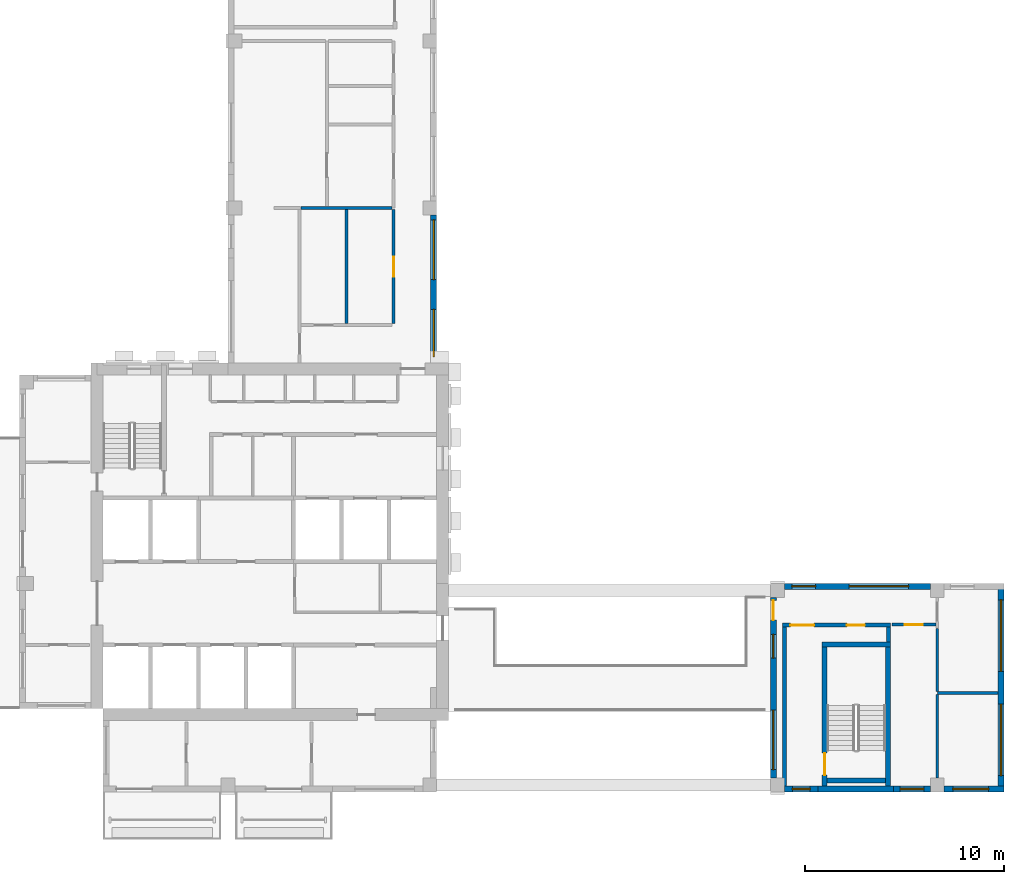
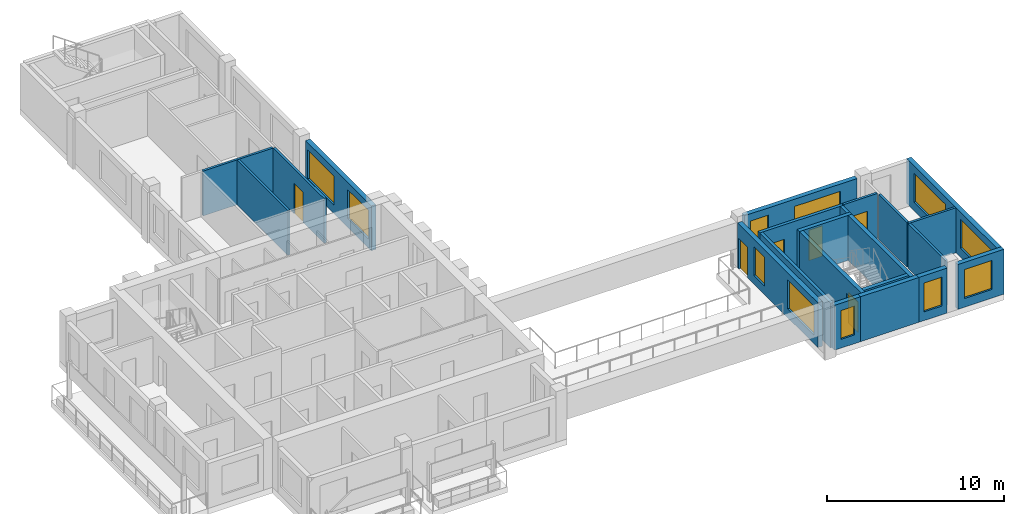
# One storey, part 4 of 9: 22 walls, 11 windows, 6 doors, 17 openings.
"""IFC4 building model written with IfcOpenShell, lengths in metres."""

from ifc_helpers import new_model, si_unit, direction, frame, frame_2d, origin, place, context, subcontext, project, spatial, rectangle, extrude, source, transform, mapped, material, layer, layer_set, type_object, element, fill, save


model = new_model("IFC4")

# Units and contexts
model_context = context("Model", 3, precision=1e-05, world=origin(), true_north=direction((0.0, 1.0)))
body_context = subcontext(model_context, "Body", "Model", "MODEL_VIEW")
ifc_project = project(units=[si_unit("LENGTHUNIT", "METRE"), si_unit("AREAUNIT", "SQUARE_METRE"), si_unit("VOLUMEUNIT", "CUBIC_METRE"), si_unit("PLANEANGLEUNIT", "RADIAN"), si_unit("MASSUNIT", "GRAM", prefix="KILO")], contexts=[model_context])

# Site, building, storey
site_placement = place(None, origin())
site = spatial("IfcSite", under=ifc_project, at=site_placement, CompositionType="ELEMENT")
building_placement = place(site_placement, origin())
building = spatial("IfcBuilding", under=site, at=building_placement, Name="Aurelian Terraces", CompositionType="ELEMENT")
storey_placement = place(building_placement, frame((0.0, 0.0, 305.5)))
storey = spatial("IfcBuildingStorey", under=building, at=storey_placement, Name="L70", CompositionType="ELEMENT", Elevation=305.5)

# Wall
ifc_material_1 = material(Name="Gypsum board on steel studs", Category="steel")
ifc_layer_1 = layer(ifc_material_1, 0.15)
ifc_layer_set_1 = layer_set([ifc_layer_1], Name="Fire partition 150")
wall_type_1 = type_object("IfcWallType", Name="Fire partition 150", PredefinedType="PARTITIONING", material=ifc_layer_set_1)
wall_1_placement = place(storey_placement, frame((46.2, 5.05, 0.0), z_axis=(0.0, 0.0, 1.0), x_axis=(0.0, 1.0, 0.0)))
element("IfcWall", 1, at=wall_1_placement, inside=storey, type_object=wall_type_1, Name="Party wall", PredefinedType="PARTITIONING", context=body_context, shape_type="SweptSolid", body=[
    extrude(rectangle(XDim=3.18, YDim=0.15, at=frame_2d((1.59, 0.0))), origin(), (0.0, 0.0, 1.0), 3.1),
])

# Wall, opening, window
ifc_material_2 = material(Name="Terracotta rainscreen cladding", Category="masonry")
ifc_layer_2 = layer(ifc_material_2, 0.3)
ifc_layer_set_2 = layer_set([ifc_layer_2], Name="EW-300")
wall_type_2 = type_object("IfcWallType", Name="EW-300", PredefinedType="STANDARD", material=ifc_layer_set_2)
shared_shape_1 = source(origin(), body_context, "Body", "SweptSolid", [
    extrude(rectangle(XDim=3.01, YDim=0.3, at=frame_2d((1.505, 0.0))), origin(), (0.0, 0.0, 1.0), 3.1),
])
wall_2_placement = place(storey_placement, frame((46.55, 0.15, 0.0), z_axis=(0.0, 0.0, 1.0), x_axis=(1.0, 0.0, 0.0)))
wall_2 = element("IfcWall", 2, at=wall_2_placement, inside=storey, type_object=wall_type_2, Name="External wall L70 F13.24", PredefinedType="STANDARD", context=body_context, shape_type="MappedRepresentation", body=[
    mapped(shared_shape_1, transform((0.0, 0.0, 0.0), scale=1.0)),
])
shared_shape_2 = source(origin(), body_context, "Body", "SweptSolid", [
    extrude(rectangle(XDim=1.8, YDim=2.0, at=frame_2d((0.9, 1.0))), frame((0.0, 0.16, 0.0), z_axis=(0.0, -1.0, 0.0), x_axis=(1.0, 0.0, 0.0)), (0.0, 0.0, 1.0), 0.32),
])
opening_1_placement = place(wall_2_placement, frame((0.43, 0.0, 0.6)))
opening_1 = element("IfcOpeningElement", 3, at=opening_1_placement, cuts=wall_2, Name="Opening W1820", PredefinedType="OPENING", context=body_context, shape_type="MappedRepresentation", body=[
    mapped(shared_shape_2, transform((0.0, 0.0, 0.0), scale=1.0)),
])
ifc_material_3 = material(Name="Clear glazing", Category="glass")
window_type_1 = type_object("IfcWindowType", Name="W-1800x2000", PartitioningType="SINGLE_PANEL", PredefinedType="WINDOW", material=ifc_material_3)
shared_shape_3 = source(origin(), body_context, "Body", "SweptSolid", [
    extrude(rectangle(XDim=1.8, YDim=2.0, at=frame_2d((0.9, 1.0))), frame((0.0, 0.03, 0.0), z_axis=(0.0, -1.0, 0.0), x_axis=(1.0, 0.0, 0.0)), (0.0, 0.0, 1.0), 0.06),
])
window_1_placement = place(opening_1_placement, origin())
window_1 = element("IfcWindow", 4, at=window_1_placement, inside=storey, type_object=window_type_1, Name="Window L70 L70-F13-24-0", OverallHeight=2.0, OverallWidth=1.8, PartitioningType="SINGLE_PANEL", PredefinedType="WINDOW", context=body_context, shape_type="MappedRepresentation", body=[
    mapped(shared_shape_3, transform((0.0, 0.0, 0.0), scale=1.0)),
])
fill(opening_1, window_1)

# Wall, openings, windows
shared_shape_4 = source(origin(), body_context, "Body", "SweptSolid", [
    extrude(rectangle(XDim=7.45, YDim=0.3, at=frame_2d((3.725, 0.0))), origin(), (0.0, 0.0, 1.0), 3.1),
])
wall_3_placement = place(storey_placement, frame((20.85, 21.6, 0.0), z_axis=(0.0, 0.0, 1.0), x_axis=(0.0, 1.0, 0.0)))
wall_3 = element("IfcWall", 5, at=wall_3_placement, inside=storey, type_object=wall_type_2, Name="External wall L70 F02.7", PredefinedType="STANDARD", context=body_context, shape_type="MappedRepresentation", body=[
    mapped(shared_shape_4, transform((0.0, 0.0, 0.0), scale=1.0)),
])
shared_shape_5 = source(origin(), body_context, "Body", "SweptSolid", [
    extrude(rectangle(XDim=2.4, YDim=2.0, at=frame_2d((1.2, 1.0))), frame((0.0, 0.16, 0.0), z_axis=(0.0, -1.0, 0.0), x_axis=(1.0, 0.0, 0.0)), (0.0, 0.0, 1.0), 0.32),
])
opening_2_placement = place(wall_3_placement, frame((0.3, 0.0, 0.6)))
opening_2 = element("IfcOpeningElement", 6, at=opening_2_placement, cuts=wall_3, Name="Opening W2420", PredefinedType="OPENING", context=body_context, shape_type="MappedRepresentation", body=[
    mapped(shared_shape_5, transform((0.0, 0.0, 0.0), scale=1.0)),
])
shared_shape_6 = source(origin(), body_context, "Body", "SweptSolid", [
    extrude(rectangle(XDim=3.0, YDim=2.0, at=frame_2d((1.5, 1.0))), frame((0.0, 0.16, 0.0), z_axis=(0.0, -1.0, 0.0), x_axis=(1.0, 0.0, 0.0)), (0.0, 0.0, 1.0), 0.32),
])
opening_3_placement = place(wall_3_placement, frame((4.2, 0.0, 0.6)))
opening_3 = element("IfcOpeningElement", 7, at=opening_3_placement, cuts=wall_3, Name="Opening W3020", PredefinedType="OPENING", context=body_context, shape_type="MappedRepresentation", body=[
    mapped(shared_shape_6, transform((0.0, 0.0, 0.0), scale=1.0)),
])
window_type_2 = type_object("IfcWindowType", Name="W-3000x2000", PartitioningType="SINGLE_PANEL", PredefinedType="WINDOW", material=ifc_material_3)
shared_shape_7 = source(origin(), body_context, "Body", "SweptSolid", [
    extrude(rectangle(XDim=3.0, YDim=2.0, at=frame_2d((1.5, 1.0))), frame((0.0, 0.03, 0.0), z_axis=(0.0, -1.0, 0.0), x_axis=(1.0, 0.0, 0.0)), (0.0, 0.0, 1.0), 0.06),
])
window_2_placement = place(opening_3_placement, origin())
window_2 = element("IfcWindow", 8, at=window_2_placement, inside=storey, type_object=window_type_2, Name="Window L70 L70-F02-07-1", OverallHeight=2.0, OverallWidth=3.0, PartitioningType="SINGLE_PANEL", PredefinedType="WINDOW", context=body_context, shape_type="MappedRepresentation", body=[
    mapped(shared_shape_7, transform((0.0, 0.0, 0.0), scale=1.0)),
])
fill(opening_3, window_2)
window_type_3 = type_object("IfcWindowType", Name="W-2400x2000", PartitioningType="SINGLE_PANEL", PredefinedType="WINDOW", material=ifc_material_3)
shared_shape_8 = source(origin(), body_context, "Body", "SweptSolid", [
    extrude(rectangle(XDim=2.4, YDim=2.0, at=frame_2d((1.2, 1.0))), frame((0.0, 0.03, 0.0), z_axis=(0.0, -1.0, 0.0), x_axis=(1.0, 0.0, 0.0)), (0.0, 0.0, 1.0), 0.06),
])
window_3_placement = place(opening_2_placement, origin())
window_3 = element("IfcWindow", 9, at=window_3_placement, inside=storey, type_object=window_type_3, Name="Window L70 L70-F02-07-0", OverallHeight=2.0, OverallWidth=2.4, PartitioningType="SINGLE_PANEL", PredefinedType="WINDOW", context=body_context, shape_type="MappedRepresentation", body=[
    mapped(shared_shape_8, transform((0.0, 0.0, 0.0), scale=1.0)),
])
fill(opening_2, window_3)

# Wall
ifc_material_4 = material(Name="Concrete fc' 40 MPa", Category="concrete")
ifc_layer_3 = layer(ifc_material_4, 0.3)
ifc_layer_set_3 = layer_set([ifc_layer_3], Name="STAIR BAY WALL 300")
wall_type_3 = type_object("IfcWallType", Name="STAIR BAY WALL 300", PredefinedType="SOLIDWALL", material=ifc_layer_set_3)
shared_shape_9 = source(origin(), body_context, "Body", "SweptSolid", [
    extrude(rectangle(XDim=3.8, YDim=0.3, at=frame_2d((1.9, 0.0))), origin(), (0.0, 0.0, 1.0), 3.1),
])
wall_4_placement = place(storey_placement, frame((40.2, 0.15, 0.0), z_axis=(0.0, 0.0, 1.0), x_axis=(1.0, 0.0, 0.0)))
element("IfcWall", 10, at=wall_4_placement, inside=storey, type_object=wall_type_3, Name="Stair bay wall L70 F13.23", PredefinedType="SOLIDWALL", context=body_context, shape_type="MappedRepresentation", body=[
    mapped(shared_shape_9, transform((0.0, 0.0, 0.0), scale=1.0)),
])

# Wall, opening, window
shared_shape_10 = source(origin(), body_context, "Body", "SweptSolid", [
    extrude(rectangle(XDim=1.85, YDim=0.3, at=frame_2d((0.925, 0.0))), origin(), (0.0, 0.0, 1.0), 3.1),
])
wall_5_placement = place(storey_placement, frame((44.0, 0.15, 0.0), z_axis=(0.0, 0.0, 1.0), x_axis=(1.0, 0.0, 0.0)))
wall_5 = element("IfcWall", 11, at=wall_5_placement, inside=storey, type_object=wall_type_2, Name="External wall L70 F13.23", PredefinedType="STANDARD", context=body_context, shape_type="MappedRepresentation", body=[
    mapped(shared_shape_10, transform((0.0, 0.0, 0.0), scale=1.0)),
])
shared_shape_11 = source(origin(), body_context, "Body", "SweptSolid", [
    extrude(rectangle(XDim=1.2, YDim=2.0, at=frame_2d((0.6, 1.0))), frame((0.0, 0.16, 0.0), z_axis=(0.0, -1.0, 0.0), x_axis=(1.0, 0.0, 0.0)), (0.0, 0.0, 1.0), 0.32),
])
opening_4_placement = place(wall_5_placement, frame((0.325, 0.0, 0.6)))
opening_4 = element("IfcOpeningElement", 12, at=opening_4_placement, cuts=wall_5, Name="Opening W1220", PredefinedType="OPENING", context=body_context, shape_type="MappedRepresentation", body=[
    mapped(shared_shape_11, transform((0.0, 0.0, 0.0), scale=1.0)),
])
window_type_4 = type_object("IfcWindowType", Name="W-1200x2000", PartitioningType="SINGLE_PANEL", PredefinedType="WINDOW", material=ifc_material_3)
shared_shape_12 = source(origin(), body_context, "Body", "SweptSolid", [
    extrude(rectangle(XDim=1.2, YDim=2.0, at=frame_2d((0.6, 1.0))), frame((0.0, 0.03, 0.0), z_axis=(0.0, -1.0, 0.0), x_axis=(1.0, 0.0, 0.0)), (0.0, 0.0, 1.0), 0.06),
])
window_4_placement = place(opening_4_placement, origin())
window_4 = element("IfcWindow", 13, at=window_4_placement, inside=storey, type_object=window_type_4, Name="Window L70 L70-F13-23-P2", OverallHeight=2.0, OverallWidth=1.2, PartitioningType="SINGLE_PANEL", PredefinedType="WINDOW", context=body_context, shape_type="MappedRepresentation", body=[
    mapped(shared_shape_12, transform((0.0, 0.0, 0.0), scale=1.0)),
])
fill(opening_4, window_4)

# Wall, openings, windows
shared_shape_13 = source(origin(), body_context, "Body", "SweptSolid", [
    extrude(rectangle(XDim=10.5, YDim=0.3, at=frame_2d((5.25, 0.0))), origin(), (0.0, 0.0, 1.0), 3.1),
])
wall_6_placement = place(storey_placement, frame((49.41, 0.0, 0.0), z_axis=(0.0, 0.0, 1.0), x_axis=(0.0, 1.0, 0.0)))
wall_6 = element("IfcWall", 14, at=wall_6_placement, inside=storey, type_object=wall_type_2, Name="External wall L70 F14.25", PredefinedType="STANDARD", context=body_context, shape_type="MappedRepresentation", body=[
    mapped(shared_shape_13, transform((0.0, 0.0, 0.0), scale=1.0)),
])
shared_shape_14 = source(origin(), body_context, "Body", "SweptSolid", [
    extrude(rectangle(XDim=3.6, YDim=2.0, at=frame_2d((1.8, 1.0))), frame((0.0, 0.16, 0.0), z_axis=(0.0, -1.0, 0.0), x_axis=(1.0, 0.0, 0.0)), (0.0, 0.0, 1.0), 0.32),
])
opening_5_placement = place(wall_6_placement, frame((0.825, 0.0, 0.6)))
opening_5 = element("IfcOpeningElement", 15, at=opening_5_placement, cuts=wall_6, Name="Opening W3620", PredefinedType="OPENING", context=body_context, shape_type="MappedRepresentation", body=[
    mapped(shared_shape_14, transform((0.0, 0.0, 0.0), scale=1.0)),
])
opening_6_placement = place(wall_6_placement, frame((6.075, 0.0, 0.6)))
opening_6 = element("IfcOpeningElement", 16, at=opening_6_placement, cuts=wall_6, Name="Opening W3620", PredefinedType="OPENING", context=body_context, shape_type="MappedRepresentation", body=[
    mapped(shared_shape_14, transform((0.0, 0.0, 0.0), scale=1.0)),
])
window_type_5 = type_object("IfcWindowType", Name="W-3600x2000", PartitioningType="SINGLE_PANEL", PredefinedType="WINDOW", material=ifc_material_3)
shared_shape_15 = source(origin(), body_context, "Body", "SweptSolid", [
    extrude(rectangle(XDim=3.6, YDim=2.0, at=frame_2d((1.8, 1.0))), frame((0.0, 0.03, 0.0), z_axis=(0.0, -1.0, 0.0), x_axis=(1.0, 0.0, 0.0)), (0.0, 0.0, 1.0), 0.06),
])
window_5_placement = place(opening_5_placement, origin())
window_5 = element("IfcWindow", 17, at=window_5_placement, inside=storey, type_object=window_type_5, Name="Window L70 L70-F14-25-0", OverallHeight=2.0, OverallWidth=3.6, PartitioningType="SINGLE_PANEL", PredefinedType="WINDOW", context=body_context, shape_type="MappedRepresentation", body=[
    mapped(shared_shape_15, transform((0.0, 0.0, 0.0), scale=1.0)),
])
fill(opening_5, window_5)
window_6_placement = place(opening_6_placement, origin())
window_6 = element("IfcWindow", 18, at=window_6_placement, inside=storey, type_object=window_type_5, Name="Window L70 L70-F14-25-1", OverallHeight=2.0, OverallWidth=3.6, PartitioningType="SINGLE_PANEL", PredefinedType="WINDOW", context=body_context, shape_type="MappedRepresentation", body=[
    mapped(shared_shape_15, transform((0.0, 0.0, 0.0), scale=1.0)),
])
fill(opening_6, window_6)

# Wall, opening, window
shared_shape_16 = source(origin(), body_context, "Body", "SweptSolid", [
    extrude(rectangle(XDim=1.7, YDim=0.3, at=frame_2d((0.85, 0.0))), origin(), (0.0, 0.0, 1.0), 3.1),
])
wall_7_placement = place(storey_placement, frame((38.5, 0.15, 0.0), z_axis=(0.0, 0.0, 1.0), x_axis=(1.0, 0.0, 0.0)))
wall_7 = element("IfcWall", 19, at=wall_7_placement, inside=storey, type_object=wall_type_2, Name="External wall L70 F13.23", PredefinedType="STANDARD", context=body_context, shape_type="MappedRepresentation", body=[
    mapped(shared_shape_16, transform((0.0, 0.0, 0.0), scale=1.0)),
])
shared_shape_17 = source(origin(), body_context, "Body", "SweptSolid", [
    extrude(rectangle(XDim=0.9, YDim=2.0, at=frame_2d((0.45, 1.0))), frame((0.0, 0.16, 0.0), z_axis=(0.0, -1.0, 0.0), x_axis=(1.0, 0.0, 0.0)), (0.0, 0.0, 1.0), 0.32),
])
opening_7_placement = place(wall_7_placement, frame((0.4, 0.0, 0.6)))
opening_7 = element("IfcOpeningElement", 20, at=opening_7_placement, cuts=wall_7, Name="Opening W0920", PredefinedType="OPENING", context=body_context, shape_type="MappedRepresentation", body=[
    mapped(shared_shape_17, transform((0.0, 0.0, 0.0), scale=1.0)),
])
window_type_6 = type_object("IfcWindowType", Name="W-900x2000", PartitioningType="SINGLE_PANEL", PredefinedType="WINDOW", material=ifc_material_3)
shared_shape_18 = source(origin(), body_context, "Body", "SweptSolid", [
    extrude(rectangle(XDim=0.9, YDim=2.0, at=frame_2d((0.45, 1.0))), frame((0.0, 0.03, 0.0), z_axis=(0.0, -1.0, 0.0), x_axis=(1.0, 0.0, 0.0)), (0.0, 0.0, 1.0), 0.06),
])
window_7_placement = place(opening_7_placement, origin())
window_7 = element("IfcWindow", 21, at=window_7_placement, inside=storey, type_object=window_type_6, Name="Window L70 L70-F13-23-P0", OverallHeight=2.0, OverallWidth=0.9, PartitioningType="SINGLE_PANEL", PredefinedType="WINDOW", context=body_context, shape_type="MappedRepresentation", body=[
    mapped(shared_shape_18, transform((0.0, 0.0, 0.0), scale=1.0)),
])
fill(opening_7, window_7)

# Wall, openings, windows
shared_shape_19 = source(origin(), body_context, "Body", "SweptSolid", [
    extrude(rectangle(XDim=7.35, YDim=0.3, at=frame_2d((3.675, 0.0))), origin(), (0.0, 0.0, 1.0), 3.1),
])
wall_8_placement = place(storey_placement, frame((45.85, 10.35, 0.0), z_axis=(0.0, 0.0, 1.0), x_axis=(-1.0, 0.0, 0.0)))
wall_8 = element("IfcWall", 22, at=wall_8_placement, inside=storey, type_object=wall_type_2, Name="External wall L70 F15.26", PredefinedType="STANDARD", context=body_context, shape_type="MappedRepresentation", body=[
    mapped(shared_shape_19, transform((0.0, 0.0, 0.0), scale=1.0)),
])
opening_8_placement = place(wall_8_placement, frame((1.09, 0.0, 0.6)))
opening_8 = element("IfcOpeningElement", 23, at=opening_8_placement, cuts=wall_8, Name="Opening W3020", PredefinedType="OPENING", context=body_context, shape_type="MappedRepresentation", body=[
    mapped(shared_shape_6, transform((0.0, 0.0, 0.0), scale=1.0)),
])
opening_9_placement = place(wall_8_placement, frame((5.77, 0.0, 0.6)))
opening_9 = element("IfcOpeningElement", 24, at=opening_9_placement, cuts=wall_8, Name="Opening W1220", PredefinedType="OPENING", context=body_context, shape_type="MappedRepresentation", body=[
    mapped(shared_shape_11, transform((0.0, 0.0, 0.0), scale=1.0)),
])
window_8_placement = place(opening_8_placement, origin())
window_8 = element("IfcWindow", 25, at=window_8_placement, inside=storey, type_object=window_type_2, Name="Window L70 L70-F15-26-1", OverallHeight=2.0, OverallWidth=3.0, PartitioningType="SINGLE_PANEL", PredefinedType="WINDOW", context=body_context, shape_type="MappedRepresentation", body=[
    mapped(shared_shape_7, transform((0.0, 0.0, 0.0), scale=1.0)),
])
fill(opening_8, window_8)
window_9_placement = place(opening_9_placement, origin())
window_9 = element("IfcWindow", 26, at=window_9_placement, inside=storey, type_object=window_type_4, Name="Window L70 L70-F15-26-2", OverallHeight=2.0, OverallWidth=1.2, PartitioningType="SINGLE_PANEL", PredefinedType="WINDOW", context=body_context, shape_type="MappedRepresentation", body=[
    mapped(shared_shape_12, transform((0.0, 0.0, 0.0), scale=1.0)),
])
fill(opening_9, window_9)

# Wall, openings, windows, door
shared_shape_20 = source(origin(), body_context, "Body", "SweptSolid", [
    extrude(rectangle(XDim=9.1, YDim=0.3, at=frame_2d((4.55, 0.0))), origin(), (0.0, 0.0, 1.0), 3.1),
])
wall_9_placement = place(storey_placement, frame((37.95, 9.8, 0.0), z_axis=(0.0, 0.0, 1.0), x_axis=(0.0, -1.0, 0.0)))
wall_9 = element("IfcWall", 27, at=wall_9_placement, inside=storey, type_object=wall_type_2, Name="External wall L70 F16.27", PredefinedType="STANDARD", context=body_context, shape_type="MappedRepresentation", body=[
    mapped(shared_shape_20, transform((0.0, 0.0, 0.0), scale=1.0)),
])
opening_10_placement = place(wall_9_placement, frame((1.8625, 0.0, 0.6)))
opening_10 = element("IfcOpeningElement", 28, at=opening_10_placement, cuts=wall_9, Name="Opening W1220", PredefinedType="OPENING", context=body_context, shape_type="MappedRepresentation", body=[
    mapped(shared_shape_11, transform((0.0, 0.0, 0.0), scale=1.0)),
])
opening_11_placement = place(wall_9_placement, frame((5.675, 0.0, 0.6)))
opening_11 = element("IfcOpeningElement", 29, at=opening_11_placement, cuts=wall_9, Name="Opening W3020", PredefinedType="OPENING", context=body_context, shape_type="MappedRepresentation", body=[
    mapped(shared_shape_6, transform((0.0, 0.0, 0.0), scale=1.0)),
])
shared_shape_21 = source(origin(), body_context, "Body", "SweptSolid", [
    extrude(rectangle(XDim=1.0, YDim=2.1, at=frame_2d((0.5, 1.05))), frame((0.0, 0.16, 0.0), z_axis=(0.0, -1.0, 0.0), x_axis=(1.0, 0.0, 0.0)), (0.0, 0.0, 1.0), 0.32),
])
opening_12_placement = place(wall_9_placement, frame((0.15, 0.0, 0.0)))
opening_12 = element("IfcOpeningElement", 30, at=opening_12_placement, cuts=wall_9, Name="Opening 87004", PredefinedType="OPENING", context=body_context, shape_type="MappedRepresentation", body=[
    mapped(shared_shape_21, transform((0.0, 0.0, 0.0), scale=1.0)),
])
window_10_placement = place(opening_11_placement, origin())
window_10 = element("IfcWindow", 31, at=window_10_placement, inside=storey, type_object=window_type_2, Name="Window L70 L70-F16-27-1", OverallHeight=2.0, OverallWidth=3.0, PartitioningType="SINGLE_PANEL", PredefinedType="WINDOW", context=body_context, shape_type="MappedRepresentation", body=[
    mapped(shared_shape_7, transform((0.0, 0.0, 0.0), scale=1.0)),
])
fill(opening_11, window_10)
window_11_placement = place(opening_10_placement, origin())
window_11 = element("IfcWindow", 32, at=window_11_placement, inside=storey, type_object=window_type_4, Name="Window L70 L70-F16-27-0", OverallHeight=2.0, OverallWidth=1.2, PartitioningType="SINGLE_PANEL", PredefinedType="WINDOW", context=body_context, shape_type="MappedRepresentation", body=[
    mapped(shared_shape_12, transform((0.0, 0.0, 0.0), scale=1.0)),
])
fill(opening_10, window_11)
door_type_1 = type_object("IfcDoorType", Name="BD-1000x2100", OperationType="SLIDING_TO_LEFT", PredefinedType="DOOR", material=ifc_material_3)
shared_shape_22 = source(origin(), body_context, "Body", "SweptSolid", [
    extrude(rectangle(XDim=1.0, YDim=2.1, at=frame_2d((0.5, 1.05))), frame((0.0, 0.025, 0.0), z_axis=(0.0, -1.0, 0.0), x_axis=(1.0, 0.0, 0.0)), (0.0, 0.0, 1.0), 0.05),
])
door_1_placement = place(opening_12_placement, origin())
door_1 = element("IfcDoor", 33, at=door_1_placement, inside=storey, type_object=door_type_1, Name="Link bridge door L70 BLADE-S", OperationType="SLIDING_TO_LEFT", OverallHeight=2.1, OverallWidth=1.0, PredefinedType="DOOR", context=body_context, shape_type="MappedRepresentation", body=[
    mapped(shared_shape_22, transform((0.0, 0.0, 0.0), scale=1.0)),
])
fill(opening_12, door_1)

# Wall, opening, door
ifc_layer_4 = layer(ifc_material_4, 0.25)
ifc_layer_set_4 = layer_set([ifc_layer_4], Name="Stair enclosure wall 250")
wall_type_4 = type_object("IfcWallType", Name="Stair enclosure wall 250", PredefinedType="SOLIDWALL", material=ifc_layer_set_4)
shared_shape_23 = source(origin(), body_context, "Body", "SweptSolid", [
    extrude(rectangle(XDim=7.0, YDim=0.25, at=frame_2d((3.5, 0.0))), origin(), (0.0, 0.0, 1.0), 3.1),
])
wall_10_placement = place(storey_placement, frame((40.525, 0.3, 0.0), z_axis=(0.0, 0.0, 1.0), x_axis=(0.0, 1.0, 0.0)))
wall_10 = element("IfcWall", 34, at=wall_10_placement, inside=storey, type_object=wall_type_4, Name="L70 core wall ST-S2-W", PredefinedType="SOLIDWALL", context=body_context, shape_type="MappedRepresentation", body=[
    mapped(shared_shape_23, transform((0.0, 0.0, 0.0), scale=1.0)),
])
shared_shape_24 = source(origin(), body_context, "Body", "SweptSolid", [
    extrude(rectangle(XDim=1.1, YDim=2.1, at=frame_2d((0.55, 1.05))), frame((0.0, 0.135, 0.0), z_axis=(0.0, -1.0, 0.0), x_axis=(1.0, 0.0, 0.0)), (0.0, 0.0, 1.0), 0.27),
])
opening_13_placement = place(wall_10_placement, frame((0.55, 0.0, 0.0)))
opening_13 = element("IfcOpeningElement", 35, at=opening_13_placement, cuts=wall_10, Name="Opening 67322", PredefinedType="OPENING", context=body_context, shape_type="MappedRepresentation", body=[
    mapped(shared_shape_24, transform((0.0, 0.0, 0.0), scale=1.0)),
])
ifc_material_5 = material(Name="Steel door leaf", Category="steel")
door_type_2 = type_object("IfcDoorType", Name="Core fire door 1100x2100 right", OperationType="SINGLE_SWING_RIGHT", PredefinedType="DOOR", material=ifc_material_5)
shared_shape_25 = source(origin(), body_context, "Body", "SweptSolid", [
    extrude(rectangle(XDim=1.1, YDim=2.1, at=frame_2d((0.55, 1.05))), frame((0.0, 0.025, 0.0), z_axis=(0.0, -1.0, 0.0), x_axis=(1.0, 0.0, 0.0)), (0.0, 0.0, 1.0), 0.05),
])
door_2_placement = place(opening_13_placement, origin())
door_2 = element("IfcDoor", 36, at=door_2_placement, inside=storey, type_object=door_type_2, Name="Stair door 67322", OperationType="SINGLE_SWING_RIGHT", OverallHeight=2.1, OverallWidth=1.1, PredefinedType="DOOR", context=body_context, shape_type="MappedRepresentation", body=[
    mapped(shared_shape_25, transform((0.0, 0.0, 0.0), scale=1.0)),
])
fill(opening_13, door_2)

# Walls
wall_11_placement = place(storey_placement, frame((43.725, 0.3, 0.0), z_axis=(0.0, 0.0, 1.0), x_axis=(0.0, 1.0, 0.0)))
element("IfcWall", 37, at=wall_11_placement, inside=storey, type_object=wall_type_4, Name="L70 core wall ST-S2-E", PredefinedType="SOLIDWALL", context=body_context, shape_type="MappedRepresentation", body=[
    mapped(shared_shape_23, transform((0.0, 0.0, 0.0), scale=1.0)),
])
shared_shape_26 = source(origin(), body_context, "Body", "SweptSolid", [
    extrude(rectangle(XDim=3.45, YDim=0.25, at=frame_2d((1.725, 0.0))), origin(), (0.0, 0.0, 1.0), 3.1),
])
wall_12_placement = place(storey_placement, frame((40.4, 7.425, 0.0), z_axis=(0.0, 0.0, 1.0), x_axis=(1.0, 0.0, 0.0)))
element("IfcWall", 38, at=wall_12_placement, inside=storey, type_object=wall_type_4, Name="L70 core wall ST-S2-N", PredefinedType="SOLIDWALL", context=body_context, shape_type="MappedRepresentation", body=[
    mapped(shared_shape_26, transform((0.0, 0.0, 0.0), scale=1.0)),
])
ifc_layer_5 = layer(ifc_material_1, 0.2)
ifc_layer_set_5 = layer_set([ifc_layer_5], Name="Core partition 200")
wall_type_5 = type_object("IfcWallType", Name="Core partition 200", PredefinedType="PARTITIONING", material=ifc_layer_set_5)
shared_shape_27 = source(origin(), body_context, "Body", "SweptSolid", [
    extrude(rectangle(XDim=8.0, YDim=0.2, at=frame_2d((4.0, 0.0))), origin(), (0.0, 0.0, 1.0), 3.1),
])
wall_13_placement = place(storey_placement, frame((38.5, 0.3, 0.0), z_axis=(0.0, 0.0, 1.0), x_axis=(0.0, 1.0, 0.0)))
element("IfcWall", 39, at=wall_13_placement, inside=storey, type_object=wall_type_5, Name="L70 core wall ST-S2-VW", PredefinedType="PARTITIONING", context=body_context, shape_type="MappedRepresentation", body=[
    mapped(shared_shape_27, transform((0.0, 0.0, 0.0), scale=1.0)),
])

# Wall, openings, doors
shared_shape_28 = source(origin(), body_context, "Body", "SweptSolid", [
    extrude(rectangle(XDim=5.45, YDim=0.2, at=frame_2d((2.725, 0.0))), origin(), (0.0, 0.0, 1.0), 3.1),
])
wall_14_placement = place(storey_placement, frame((38.4, 8.4, 0.0), z_axis=(0.0, 0.0, 1.0), x_axis=(1.0, 0.0, 0.0)))
wall_14 = element("IfcWall", 40, at=wall_14_placement, inside=storey, type_object=wall_type_5, Name="L70 core wall ST-S2-BN", PredefinedType="PARTITIONING", context=body_context, shape_type="MappedRepresentation", body=[
    mapped(shared_shape_28, transform((0.0, 0.0, 0.0), scale=1.0)),
])
shared_shape_29 = source(origin(), body_context, "Body", "SweptSolid", [
    extrude(rectangle(XDim=1.2, YDim=2.1, at=frame_2d((0.6, 1.05))), frame((0.0, 0.11, 0.0), z_axis=(0.0, -1.0, 0.0), x_axis=(1.0, 0.0, 0.0)), (0.0, 0.0, 1.0), 0.22),
])
opening_14_placement = place(wall_14_placement, frame((0.4, 0.0, 0.0)))
opening_14 = element("IfcOpeningElement", 41, at=opening_14_placement, cuts=wall_14, Name="Opening 67323", PredefinedType="OPENING", context=body_context, shape_type="MappedRepresentation", body=[
    mapped(shared_shape_29, transform((0.0, 0.0, 0.0), scale=1.0)),
])
shared_shape_30 = source(origin(), body_context, "Body", "SweptSolid", [
    extrude(rectangle(XDim=0.9, YDim=2.1, at=frame_2d((0.45, 1.05))), frame((0.0, 0.11, 0.0), z_axis=(0.0, -1.0, 0.0), x_axis=(1.0, 0.0, 0.0)), (0.0, 0.0, 1.0), 0.22),
])
opening_15_placement = place(wall_14_placement, frame((3.25, 0.0, 0.0)))
opening_15 = element("IfcOpeningElement", 42, at=opening_15_placement, cuts=wall_14, Name="Opening 67324", PredefinedType="OPENING", context=body_context, shape_type="MappedRepresentation", body=[
    mapped(shared_shape_30, transform((0.0, 0.0, 0.0), scale=1.0)),
])
door_type_3 = type_object("IfcDoorType", Name="Core riser door 900x2100 right", OperationType="SINGLE_SWING_RIGHT", PredefinedType="DOOR", material=ifc_material_5)
shared_shape_31 = source(origin(), body_context, "Body", "SweptSolid", [
    extrude(rectangle(XDim=0.9, YDim=2.1, at=frame_2d((0.45, 1.05))), frame((0.0, 0.025, 0.0), z_axis=(0.0, -1.0, 0.0), x_axis=(1.0, 0.0, 0.0)), (0.0, 0.0, 1.0), 0.05),
])
door_3_placement = place(opening_15_placement, origin())
door_3 = element("IfcDoor", 43, at=door_3_placement, inside=storey, type_object=door_type_3, Name="Riser door 67324", OperationType="SINGLE_SWING_RIGHT", OverallHeight=2.1, OverallWidth=0.9, PredefinedType="DOOR", context=body_context, shape_type="MappedRepresentation", body=[
    mapped(shared_shape_31, transform((0.0, 0.0, 0.0), scale=1.0)),
])
fill(opening_15, door_3)
door_type_4 = type_object("IfcDoorType", Name="Core fire door 1200x2100", OperationType="SINGLE_SWING_LEFT", PredefinedType="DOOR", material=ifc_material_5)
shared_shape_32 = source(origin(), body_context, "Body", "SweptSolid", [
    extrude(rectangle(XDim=1.2, YDim=2.1, at=frame_2d((0.6, 1.05))), frame((0.0, 0.025, 0.0), z_axis=(0.0, -1.0, 0.0), x_axis=(1.0, 0.0, 0.0)), (0.0, 0.0, 1.0), 0.05),
])
door_4_placement = place(opening_14_placement, origin())
door_4 = element("IfcDoor", 44, at=door_4_placement, inside=storey, type_object=door_type_4, Name="Vestibule door 67323", OperationType="SINGLE_SWING_LEFT", OverallHeight=2.1, OverallWidth=1.2, PredefinedType="DOOR", context=body_context, shape_type="MappedRepresentation", body=[
    mapped(shared_shape_32, transform((0.0, 0.0, 0.0), scale=1.0)),
])
fill(opening_14, door_4)

# Walls
shared_shape_33 = source(origin(), body_context, "Body", "SweptSolid", [
    extrude(rectangle(XDim=0.75, YDim=0.2, at=frame_2d((0.375, 0.0))), origin(), (0.0, 0.0, 1.0), 3.1),
])
wall_15_placement = place(storey_placement, frame((43.75, 7.55, 0.0), z_axis=(0.0, 0.0, 1.0), x_axis=(0.0, 1.0, 0.0)))
element("IfcWall", 45, at=wall_15_placement, inside=storey, type_object=wall_type_5, Name="L70 core wall ST-S2-RE", PredefinedType="PARTITIONING", context=body_context, shape_type="MappedRepresentation", body=[
    mapped(shared_shape_33, transform((0.0, 0.0, 0.0), scale=1.0)),
])
shared_shape_34 = source(origin(), body_context, "Body", "SweptSolid", [
    extrude(rectangle(XDim=2.95, YDim=0.25, at=frame_2d((1.475, 0.0))), origin(), (0.0, 0.0, 1.0), 3.1),
])
wall_16_placement = place(storey_placement, frame((40.65, 0.575, 0.0), z_axis=(0.0, 0.0, 1.0), x_axis=(1.0, 0.0, 0.0)))
element("IfcWall", 46, at=wall_16_placement, inside=storey, type_object=wall_type_4, Name="L70 core wall ST-S2-SS", PredefinedType="SOLIDWALL", context=body_context, shape_type="MappedRepresentation", body=[
    mapped(shared_shape_34, transform((0.0, 0.0, 0.0), scale=1.0)),
])
ifc_layer_6 = layer(ifc_material_1, 0.15)
ifc_layer_set_6 = layer_set([ifc_layer_6], Name="Partition 150")
wall_type_6 = type_object("IfcWallType", Name="Partition 150", PredefinedType="PARTITIONING", material=ifc_layer_set_6)
shared_shape_35 = source(origin(), body_context, "Body", "SweptSolid", [
    extrude(rectangle(XDim=4.575, YDim=0.15, at=frame_2d((2.2875, 0.0))), origin(), (0.0, 0.0, 1.0), 3.1),
])
wall_17_placement = place(storey_placement, frame((18.75, 29.4, 0.0), z_axis=(0.0, 0.0, 1.0), x_axis=(-1.0, 0.0, 0.0)))
element("IfcWall", 47, at=wall_17_placement, inside=storey, type_object=wall_type_6, Name="Partition", PredefinedType="PARTITIONING", context=body_context, shape_type="MappedRepresentation", body=[
    mapped(shared_shape_35, transform((0.0, 0.0, 0.0), scale=1.0)),
])

# Wall, opening, door
shared_shape_36 = source(origin(), body_context, "Body", "SweptSolid", [
    extrude(rectangle(XDim=5.75, YDim=0.15, at=frame_2d((2.875, 0.0))), origin(), (0.0, 0.0, 1.0), 3.1),
])
wall_18_placement = place(storey_placement, frame((18.825, 23.575, 0.0), z_axis=(0.0, 0.0, 1.0), x_axis=(0.0, 1.0, 0.0)))
wall_18 = element("IfcWall", 48, at=wall_18_placement, inside=storey, type_object=wall_type_1, Name="Corridor wall", PredefinedType="PARTITIONING", context=body_context, shape_type="MappedRepresentation", body=[
    mapped(shared_shape_36, transform((0.0, 0.0, 0.0), scale=1.0)),
])
shared_shape_37 = source(origin(), body_context, "Body", "SweptSolid", [
    extrude(rectangle(XDim=1.0, YDim=2.1, at=frame_2d((0.5, 1.05))), frame((0.0, 0.085, 0.0), z_axis=(0.0, -1.0, 0.0), x_axis=(1.0, 0.0, 0.0)), (0.0, 0.0, 1.0), 0.17),
])
opening_16_placement = place(wall_18_placement, frame((2.375, 0.0, 0.0)))
opening_16 = element("IfcOpeningElement", 49, at=opening_16_placement, cuts=wall_18, Name="Opening 770004", PredefinedType="OPENING", context=body_context, shape_type="MappedRepresentation", body=[
    mapped(shared_shape_37, transform((0.0, 0.0, 0.0), scale=1.0)),
])
door_type_5 = type_object("IfcDoorType", Name="Entrance fire door 1000x2100 left", OperationType="SINGLE_SWING_LEFT", PredefinedType="DOOR", material=ifc_material_5)
door_5_placement = place(opening_16_placement, origin())
door_5 = element("IfcDoor", 50, at=door_5_placement, inside=storey, type_object=door_type_5, Name="Door 770004", OperationType="SINGLE_SWING_LEFT", OverallHeight=2.1, OverallWidth=1.0, PredefinedType="DOOR", context=body_context, shape_type="MappedRepresentation", body=[
    mapped(shared_shape_22, transform((0.0, 0.0, 0.0), scale=1.0)),
])
fill(opening_16, door_5)

# Walls
wall_19_placement = place(storey_placement, frame((16.463, 23.575, 0.0), z_axis=(0.0, 0.0, 1.0), x_axis=(0.0, 1.0, 0.0)))
element("IfcWall", 51, at=wall_19_placement, inside=storey, type_object=wall_type_6, Name="Partition", PredefinedType="PARTITIONING", context=body_context, shape_type="MappedRepresentation", body=[
    mapped(shared_shape_36, transform((0.0, 0.0, 0.0), scale=1.0)),
])
shared_shape_38 = source(origin(), body_context, "Body", "SweptSolid", [
    extrude(rectangle(XDim=4.201, YDim=0.15, at=frame_2d((2.1005, 0.0))), origin(), (0.0, 0.0, 1.0), 3.1),
])
wall_20_placement = place(storey_placement, frame((46.2, 0.699, 0.0), z_axis=(0.0, 0.0, 1.0), x_axis=(0.0, 1.0, 0.0)))
element("IfcWall", 52, at=wall_20_placement, inside=storey, type_object=wall_type_1, Name="Party wall", PredefinedType="PARTITIONING", context=body_context, shape_type="MappedRepresentation", body=[
    mapped(shared_shape_38, transform((0.0, 0.0, 0.0), scale=1.0)),
])
shared_shape_39 = source(origin(), body_context, "Body", "SweptSolid", [
    extrude(rectangle(XDim=3.06, YDim=0.15, at=frame_2d((1.53, 0.0))), origin(), (0.0, 0.0, 1.0), 3.1),
])
wall_21_placement = place(storey_placement, frame((49.26, 4.975, 0.0), z_axis=(0.0, 0.0, 1.0), x_axis=(-1.0, 0.0, 0.0)))
element("IfcWall", 53, at=wall_21_placement, inside=storey, type_object=wall_type_6, Name="Partition", PredefinedType="PARTITIONING", context=body_context, shape_type="MappedRepresentation", body=[
    mapped(shared_shape_39, transform((0.0, 0.0, 0.0), scale=1.0)),
])

# Wall, opening, door
shared_shape_40 = source(origin(), body_context, "Body", "SweptSolid", [
    extrude(rectangle(XDim=2.2, YDim=0.15, at=frame_2d((1.1, 0.0))), origin(), (0.0, 0.0, 1.0), 3.1),
])
wall_22_placement = place(storey_placement, frame((46.125, 8.425, 0.0), z_axis=(0.0, 0.0, 1.0), x_axis=(-1.0, 0.0, 0.0)))
wall_22 = element("IfcWall", 54, at=wall_22_placement, inside=storey, type_object=wall_type_6, Name="Partition", PredefinedType="PARTITIONING", context=body_context, shape_type="MappedRepresentation", body=[
    mapped(shared_shape_40, transform((0.0, 0.0, 0.0), scale=1.0)),
])
shared_shape_41 = source(origin(), body_context, "Body", "SweptSolid", [
    extrude(rectangle(XDim=0.9, YDim=2.1, at=frame_2d((0.45, 1.05))), frame((0.0, 0.085, 0.0), z_axis=(0.0, -1.0, 0.0), x_axis=(1.0, 0.0, 0.0)), (0.0, 0.0, 1.0), 0.17),
])
opening_17_placement = place(wall_22_placement, frame((0.65, 0.0, 0.0)))
opening_17 = element("IfcOpeningElement", 55, at=opening_17_placement, cuts=wall_22, Name="Opening 770003", PredefinedType="OPENING", context=body_context, shape_type="MappedRepresentation", body=[
    mapped(shared_shape_41, transform((0.0, 0.0, 0.0), scale=1.0)),
])
ifc_material_6 = material(Name="Timber door leaf", Category="wood")
door_type_6 = type_object("IfcDoorType", Name="Room door 900x2100 right", OperationType="SINGLE_SWING_RIGHT", PredefinedType="DOOR", material=ifc_material_6)
door_6_placement = place(opening_17_placement, origin())
door_6 = element("IfcDoor", 56, at=door_6_placement, inside=storey, type_object=door_type_6, Name="Door 770003", OperationType="SINGLE_SWING_RIGHT", OverallHeight=2.1, OverallWidth=0.9, PredefinedType="DOOR", context=body_context, shape_type="MappedRepresentation", body=[
    mapped(shared_shape_31, transform((0.0, 0.0, 0.0), scale=1.0)),
])
fill(opening_17, door_6)

save(model, "model.ifc")
